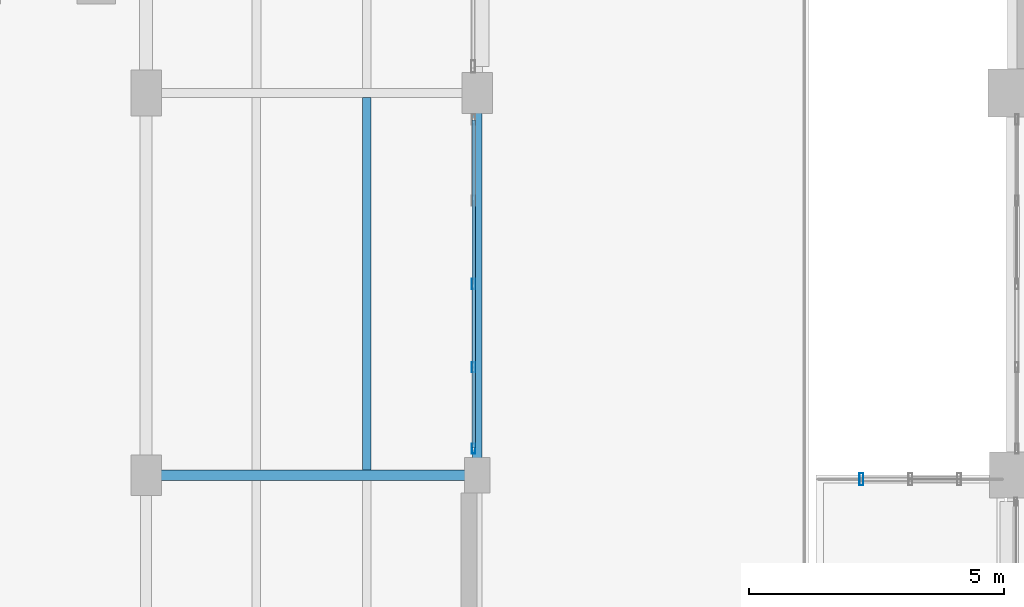
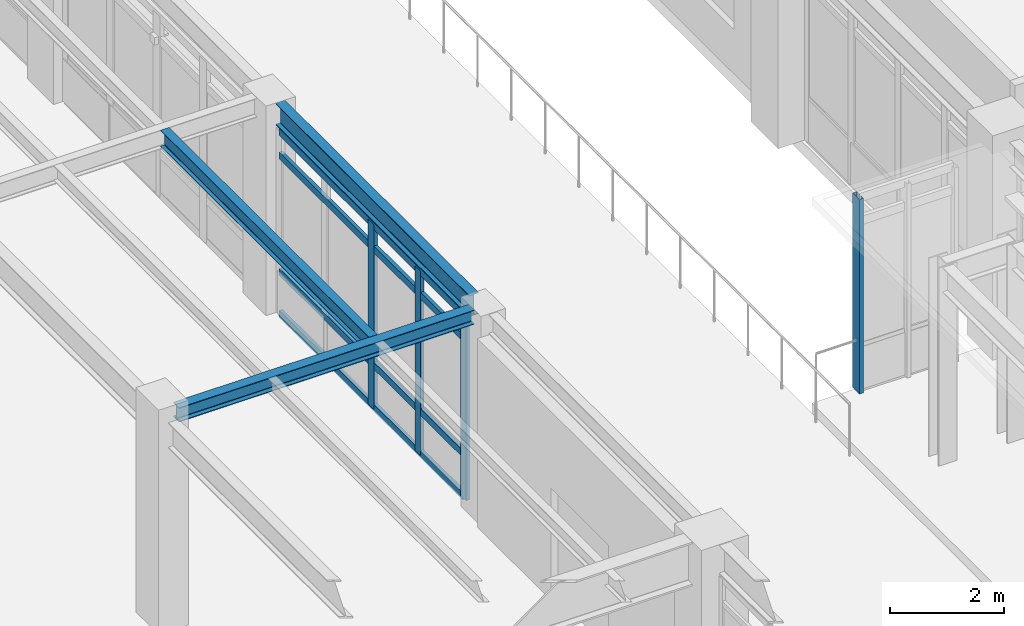
# One storey, part 123 of 200: 8 members, 3 beams, 2 elements without a shape of their own.
"""IFC4 building model written with IfcOpenShell, lengths in metres."""

from ifc_helpers import new_model, si_unit, direction, frame, origin, origin_2d, place, context, subcontext, project, spatial, hollow_rectangle, i_section, extrude, material, material_profile, profile_set, type_object, element, aggregate, save


model = new_model("IFC4")

# Units and contexts
model_context = context("Model", 3, precision=1e-05, world=origin(), true_north=direction((0.0, 1.0)))
body_context = subcontext(model_context, "Body", "Model", "MODEL_VIEW")
ifc_project = project(units=[si_unit("LENGTHUNIT", "METRE"), si_unit("AREAUNIT", "SQUARE_METRE"), si_unit("VOLUMEUNIT", "CUBIC_METRE"), si_unit("PLANEANGLEUNIT", "RADIAN"), si_unit("MASSUNIT", "GRAM", prefix="KILO"), si_unit("THERMODYNAMICTEMPERATUREUNIT", "KELVIN"), si_unit("POWERUNIT", "WATT")], contexts=[model_context])

# Site, building, storey
site_placement = place(None, origin())
site = spatial("IfcSite", under=ifc_project, at=site_placement, CompositionType="ELEMENT")
building_placement = place(site_placement, origin())
building = spatial("IfcBuilding", under=site, at=building_placement, Name="Tepalcoro Natatorium and Aquatics Centre", CompositionType="ELEMENT")
storey_placement = place(building_placement, frame((0.0, 0.0, 5.39990234375)))
storey = spatial("IfcBuildingStorey", under=building, at=storey_placement, Name="L01", CompositionType="ELEMENT", Elevation=5.39990234375)

# Beam
ifc_material_1 = material(Name="Steel ASTM A992 Grade 50 (Fy 345 MPa)", Category="steel")
ifc_material_profile_1 = material_profile(ifc_material_1, i_section(OverallWidth=0.202880859375, OverallDepth=0.304931640625, WebThickness=0.007080078125, FlangeThickness=0.012939453125, FilletRadius=0.013916015625, at=origin_2d()), Name="W12X40")
ifc_profile_set_1 = profile_set([ifc_material_profile_1], Name="Steel ASTM A992 Grade 50 (Fy 345 MPa)")
beam_type_1 = type_object("IfcBeamType", Name="BM_W12x40", PredefinedType="BEAM", material=ifc_profile_set_1)
beam_1_placement = place(storey_placement, frame((125.284912109375, 44.0, 4.3125), z_axis=(1.0, 0.0, 0.0), x_axis=(0.0, 1.0, 0.0)))
element("IfcBeam", 1, at=beam_1_placement, inside=storey, type_object=beam_type_1, Name="V1 L01 Grid Girder X", PredefinedType="BEAM", context=body_context, shape_type="SweptSolid", body=[
    extrude(i_section(OverallWidth=0.202880859375, OverallDepth=0.304931640625, WebThickness=0.007080078125, FlangeThickness=0.012939453125, FilletRadius=0.013916015625, at=origin_2d()), origin(), (0.0, 0.0, 1.0), 5.97998046875),
])

# Curtain wall, members
ifc_material_2 = material(Name="Bronze-Anodised Extruded Aluminium Alloy EN AW-6063 T6", Category="aluminium")
curtain_wall_type_1 = type_object("IfcCurtainWallType", Name="CW_V3_FOYER", PredefinedType="USERDEFINED", material=ifc_material_2)
curtain_wall_1_placement = place(storey_placement, origin())
curtain_wall_1 = element("IfcCurtainWall", 2, at=curtain_wall_1_placement, inside=storey, type_object=curtain_wall_type_1, Name="V1 L01 E Unitised Curtain Wall Bay 6", ObjectType="UNITISED STOREFRONT", PredefinedType="USERDEFINED")
ifc_material_profile_2 = material_profile(ifc_material_2, hollow_rectangle(XDim=0.070068359375, YDim=0.199951171875, WallThickness=0.0048828125, at=origin_2d()), Name="AL70X200X5")
ifc_profile_set_2 = profile_set([ifc_material_profile_2], Name="Bronze-Anodised Extruded Aluminium Alloy EN AW-6063 T6")
member_type_1 = type_object("IfcMemberType", Name="CW_MUL_70x200", PredefinedType="MULLION", material=ifc_profile_set_2)
member_1_placement = place(storey_placement, frame((131.4287109375, 44.52001953125, 0.02001953125), z_axis=(0.0, 0.0, 1.0), x_axis=(1.0, 0.0, 0.0)))
member_1 = element("IfcMember", 3, at=member_1_placement, type_object=member_type_1, Name="CW_V3_FOYER Curtain Wall Mullion", PredefinedType="MULLION", context=body_context, shape_type="SweptSolid", body=[
    extrude(hollow_rectangle(XDim=0.070068359375, YDim=0.199951171875, WallThickness=0.0048828125, at=origin_2d()), origin(), (0.0, 0.0, 1.0), 3.9501953125),
])
member_2_placement = place(storey_placement, frame((131.4287109375, 46.114990234375, 0.02001953125), z_axis=(0.0, 0.0, 1.0), x_axis=(1.0, 0.0, 0.0)))
member_2 = element("IfcMember", 4, at=member_2_placement, type_object=member_type_1, Name="CW_V3_FOYER Curtain Wall Mullion", PredefinedType="MULLION", context=body_context, shape_type="SweptSolid", body=[
    extrude(hollow_rectangle(XDim=0.070068359375, YDim=0.199951171875, WallThickness=0.0048828125, at=origin_2d()), origin(), (0.0, 0.0, 1.0), 3.9501953125),
])
member_3_placement = place(storey_placement, frame((131.4287109375, 47.75, 0.02001953125), z_axis=(0.0, 0.0, 1.0), x_axis=(1.0, 0.0, 0.0)))
member_3 = element("IfcMember", 5, at=member_3_placement, type_object=member_type_1, Name="CW_V3_FOYER Curtain Wall Mullion", PredefinedType="MULLION", context=body_context, shape_type="SweptSolid", body=[
    extrude(hollow_rectangle(XDim=0.070068359375, YDim=0.199951171875, WallThickness=0.0048828125, at=origin_2d()), origin(), (0.0, 0.0, 1.0), 3.9501953125),
])

# Curtain wall, member
curtain_wall_type_2 = type_object("IfcCurtainWallType", Name="CW_LINK_150", PredefinedType="USERDEFINED", material=ifc_material_2)
curtain_wall_2_placement = place(storey_placement, origin())
curtain_wall_2 = element("IfcCurtainWall", 6, at=curtain_wall_2_placement, inside=storey, type_object=curtain_wall_type_2, Name="East Diving Seismic Link Glazed Wall N L01", ObjectType="UNITISED STOREFRONT", PredefinedType="USERDEFINED")
ifc_material_profile_3 = material_profile(ifc_material_2, hollow_rectangle(XDim=0.080078125, YDim=0.239990234375, WallThickness=0.0048828125, at=origin_2d()), Name="AL80X240X5")
ifc_profile_set_3 = profile_set([ifc_material_profile_3], Name="Bronze-Anodised Extruded Aluminium Alloy EN AW-6063 T6")
member_type_2 = type_object("IfcMemberType", Name="CW_MUL_80x240", PredefinedType="MULLION", material=ifc_profile_set_3)
member_4_placement = place(storey_placement, frame((139.0400390625, 43.919921875, 0.02001953125), z_axis=(0.0, 0.0, 1.0), x_axis=(1.0, 0.0, 0.0)))
member_4 = element("IfcMember", 7, at=member_4_placement, type_object=member_type_2, Name="CW_LINK_150 Curtain Wall Mullion", PredefinedType="MULLION", context=body_context, shape_type="SweptSolid", body=[
    extrude(hollow_rectangle(XDim=0.080078125, YDim=0.239990234375, WallThickness=0.0048828125, at=origin_2d()), origin(), (0.0, 0.0, 1.0), 4.16015625),
])
aggregate(curtain_wall_2, [member_4])

# Member
ifc_material_profile_4 = material_profile(ifc_material_2, hollow_rectangle(XDim=0.070068359375, YDim=0.14990234375, WallThickness=0.00390625, at=origin_2d()), Name="AL70X150X4")
ifc_profile_set_4 = profile_set([ifc_material_profile_4], Name="Bronze-Anodised Extruded Aluminium Alloy EN AW-6063 T6")
member_type_3 = type_object("IfcMemberType", Name="CW_TRN_70x150", PredefinedType="USERDEFINED", material=ifc_profile_set_4)
member_5_placement = place(storey_placement, frame((131.4287109375, 44.530029296875, 0.050048828125), z_axis=(0.0, 1.0, 0.0), x_axis=(-1.0, 0.0, 0.0)))
member_5 = element("IfcMember", 8, at=member_5_placement, type_object=member_type_3, Name="CW_V3_FOYER Curtain Wall Transom", ObjectType="TRANSOM", PredefinedType="USERDEFINED", context=body_context, shape_type="SweptSolid", body=[
    extrude(hollow_rectangle(XDim=0.070068359375, YDim=0.14990234375, WallThickness=0.00390625, at=origin_2d()), origin(), (0.0, 0.0, 1.0), 6.43994140625),
])

member_6_placement = place(storey_placement, frame((131.4287109375, 44.530029296875, 0.9501953125), z_axis=(0.0, 1.0, 0.0), x_axis=(-1.0, 0.0, 0.0)))
member_6 = element("IfcMember", 9, at=member_6_placement, type_object=member_type_3, Name="CW_V3_FOYER Curtain Wall Transom", ObjectType="TRANSOM", PredefinedType="USERDEFINED", context=body_context, shape_type="SweptSolid", body=[
    extrude(hollow_rectangle(XDim=0.070068359375, YDim=0.14990234375, WallThickness=0.00390625, at=origin_2d()), origin(), (0.0, 0.0, 1.0), 6.43994140625),
])

member_7_placement = place(storey_placement, frame((131.4287109375, 44.530029296875, 3.440185546875), z_axis=(0.0, 1.0, 0.0), x_axis=(-1.0, 0.0, 0.0)))
member_7 = element("IfcMember", 10, at=member_7_placement, type_object=member_type_3, Name="CW_V3_FOYER Curtain Wall Transom", ObjectType="TRANSOM", PredefinedType="USERDEFINED", context=body_context, shape_type="SweptSolid", body=[
    extrude(hollow_rectangle(XDim=0.070068359375, YDim=0.14990234375, WallThickness=0.00390625, at=origin_2d()), origin(), (0.0, 0.0, 1.0), 6.43994140625),
])

member_8_placement = place(storey_placement, frame((131.4287109375, 44.530029296875, 3.940185546875), z_axis=(0.0, 1.0, 0.0), x_axis=(-1.0, 0.0, 0.0)))
member_8 = element("IfcMember", 11, at=member_8_placement, type_object=member_type_3, Name="CW_V3_FOYER Curtain Wall Transom", ObjectType="TRANSOM", PredefinedType="USERDEFINED", context=body_context, shape_type="SweptSolid", body=[
    extrude(hollow_rectangle(XDim=0.070068359375, YDim=0.14990234375, WallThickness=0.00390625, at=origin_2d()), origin(), (0.0, 0.0, 1.0), 6.43994140625),
])

aggregate(curtain_wall_1, [member_1, member_2, member_3, member_5, member_6, member_7, member_8])

# Beams
ifc_material_profile_5 = material_profile(ifc_material_1, i_section(OverallWidth=0.1708984375, OverallDepth=0.35107421875, WebThickness=0.007080078125, FlangeThickness=0.010009765625, FilletRadius=0.013916015625, at=origin_2d()), Name="W14X30")
ifc_profile_set_5 = profile_set([ifc_material_profile_5], Name="Steel ASTM A992 Grade 50 (Fy 345 MPa)")
beam_type_2 = type_object("IfcBeamType", Name="JS_W14x30", PredefinedType="JOIST", material=ifc_profile_set_5)
beam_2_placement = place(storey_placement, frame((129.333251953125, 44.1015625, 4.28955078125), z_axis=(0.0, 1.0, 0.0), x_axis=(-1.0, 0.0, 0.0)))
element("IfcBeam", 12, at=beam_2_placement, inside=storey, type_object=beam_type_2, Name="V1 L01 Floor Joist", PredefinedType="JOIST", context=body_context, shape_type="SweptSolid", body=[
    extrude(i_section(OverallWidth=0.1708984375, OverallDepth=0.35107421875, WebThickness=0.007080078125, FlangeThickness=0.010009765625, FilletRadius=0.013916015625, at=origin_2d()), origin(), (0.0, 0.0, 1.0), 7.309326171875),
])
ifc_material_profile_6 = material_profile(ifc_material_1, i_section(OverallWidth=0.19091796875, OverallDepth=0.4599609375, WebThickness=0.010009765625, FlangeThickness=0.01611328125, FilletRadius=0.013916015625, at=origin_2d()), Name="W18X55")
ifc_profile_set_6 = profile_set([ifc_material_profile_6], Name="Steel ASTM A992 Grade 50 (Fy 345 MPa)")
beam_type_3 = type_object("IfcBeamType", Name="SP_W18x55", PredefinedType="SPANDREL", material=ifc_profile_set_6)
beam_3_placement = place(storey_placement, frame((131.5, 44.3349609375, 4.235107421875), z_axis=(0.0, 1.0, 0.0), x_axis=(-1.0, 0.0, 0.0)))
element("IfcBeam", 13, at=beam_3_placement, inside=storey, type_object=beam_type_3, Name="V1 L01 Grid Girder Y", PredefinedType="SPANDREL", context=body_context, shape_type="SweptSolid", body=[
    extrude(i_section(OverallWidth=0.19091796875, OverallDepth=0.4599609375, WebThickness=0.010009765625, FlangeThickness=0.01611328125, FilletRadius=0.013916015625, at=origin_2d()), origin(), (0.0, 0.0, 1.0), 6.780029296875),
])

save(model, "model.ifc")
